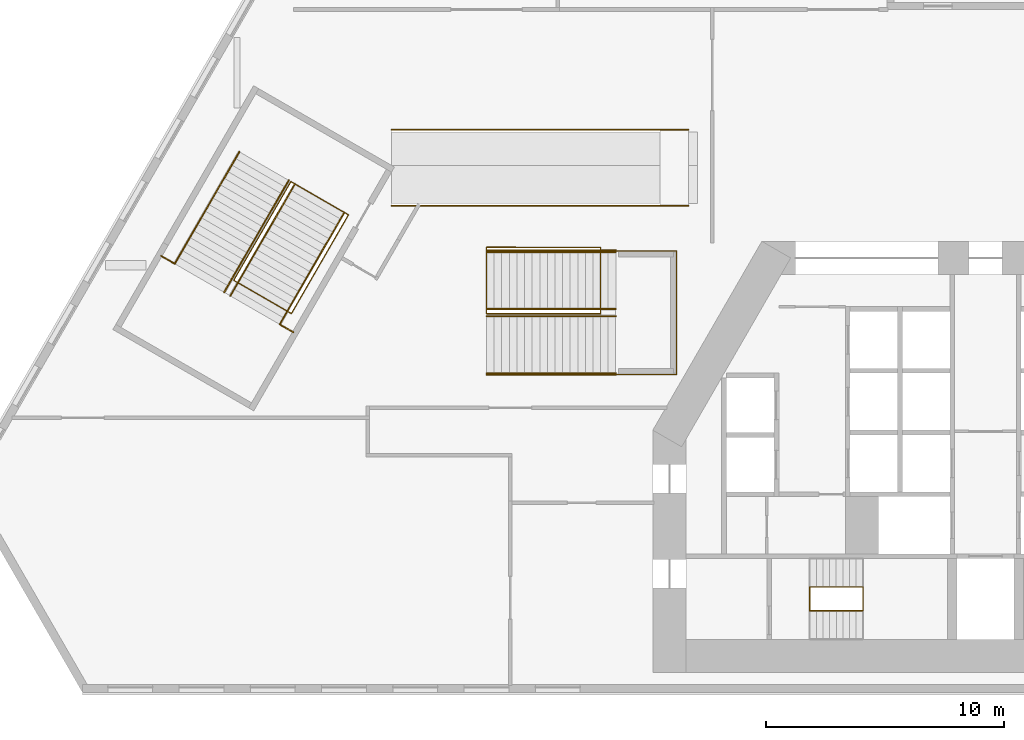
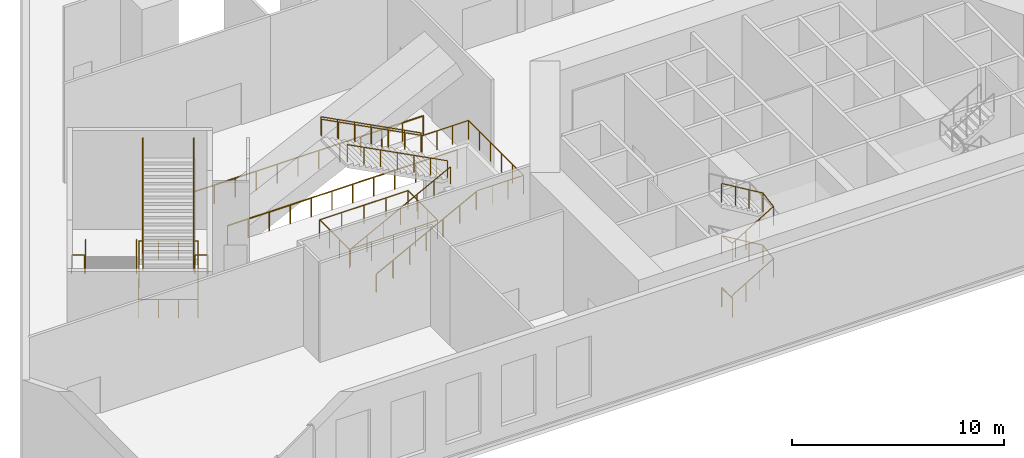
# One storey, part 10 of 16: 19 railings.
"""IFC4 building model written with IfcOpenShell, lengths in metres."""

from ifc_helpers import new_model, si_unit, direction, frame, origin, origin_2d, place, context, subcontext, project, spatial, circle, extrude, material, type_object, element, save


model = new_model("IFC4")

# Units and contexts
model_context = context("Model", 3, precision=1e-05, world=origin(), true_north=direction((0.0, 1.0)))
body_context = subcontext(model_context, "Body", "Model", "MODEL_VIEW")
ifc_project = project(units=[si_unit("LENGTHUNIT", "METRE"), si_unit("AREAUNIT", "SQUARE_METRE"), si_unit("VOLUMEUNIT", "CUBIC_METRE"), si_unit("PLANEANGLEUNIT", "RADIAN"), si_unit("MASSUNIT", "GRAM", prefix="KILO")], contexts=[model_context])

# Site, building, storey
site_placement = place(None, origin())
site = spatial("IfcSite", under=ifc_project, at=site_placement, CompositionType="ELEMENT")
building_placement = place(site_placement, origin())
building = spatial("IfcBuilding", under=site, at=building_placement, Name="Fogline Exchange Tower", CompositionType="ELEMENT")
storey_placement = place(building_placement, frame((0.0, 0.0, 14.0)))
storey = spatial("IfcBuildingStorey", under=building, at=storey_placement, Name="L02", CompositionType="ELEMENT", Elevation=14.0)

# Railings
ifc_material = material(Name="Steel Q235B", Category="steel")
railing_type_1 = type_object("IfcRailingType", Name="PG1", PredefinedType="GUARDRAIL", material=ifc_material)
railing_1_placement = place(storey_placement, frame((-29.2392578125, 21.515380859375, 0.0)))
element("IfcRailing", 1, at=railing_1_placement, inside=storey, type_object=railing_type_1, Name="Stair well guard ST4", PredefinedType="GUARDRAIL", context=body_context, shape_type="SweptSolid", body=[
    extrude(circle(Radius=0.02392578125, at=origin_2d()), frame((0.0, 0.0, 1.076171875), z_axis=(0.866034573852, -0.49998411664, 0.0), x_axis=(0.49998411664, 0.866034573852, 0.0)), (0.0, 0.0, 1.0), 2.7998046875),
    extrude(circle(Radius=0.02392578125, at=origin_2d()), frame((2.4248046875, -1.39990234375, 1.076171875), z_axis=(-0.499980858223, -0.866036455013, 0.0), x_axis=(0.866036455013, -0.499980858223, 0.0)), (0.0, 0.0, 1.0), 4.798095703125),
    extrude(circle(Radius=0.02392578125, at=origin_2d()), frame((0.02587890625, -5.55517578125, 1.076171875), z_axis=(-0.866034573852, 0.49998411664, 0.0), x_axis=(-0.49998411664, -0.866034573852, 0.0)), (0.0, 0.0, 1.0), 2.7998046875),
    extrude(circle(Radius=0.02392578125, at=origin_2d()), frame((-2.39892578125, -4.1552734375, 1.076171875), z_axis=(0.50087177907, 0.865521496516, 0.0), x_axis=(-0.865521496516, 0.50087177907, 0.0)), (0.0, 0.0, 1.0), 4.7978515625),
    extrude(circle(Radius=0.02099609375, at=origin_2d()), origin(), (0.0, 0.0, 1.0), 1.052001953125),
    extrude(circle(Radius=0.02099609375, at=origin_2d()), frame((0.808349609375, -0.466552734375, 0.0)), (0.0, 0.0, 1.0), 1.052001953125),
    extrude(circle(Radius=0.02099609375, at=origin_2d()), frame((1.616455078125, -0.933349609375, 0.0)), (0.0, 0.0, 1.0), 1.052001953125),
    extrude(circle(Radius=0.02099609375, at=origin_2d()), frame((2.4248046875, -1.39990234375, 0.0)), (0.0, 0.0, 1.0), 1.052001953125),
    extrude(circle(Radius=0.02099609375, at=origin_2d()), frame((1.8251953125, -2.438720703125, 0.0)), (0.0, 0.0, 1.0), 1.052001953125),
    extrude(circle(Radius=0.02099609375, at=origin_2d()), frame((1.225341796875, -3.4775390625, 0.0)), (0.0, 0.0, 1.0), 1.052001953125),
    extrude(circle(Radius=0.02099609375, at=origin_2d()), frame((0.62548828125, -4.516357421875, 0.0)), (0.0, 0.0, 1.0), 1.052001953125),
    extrude(circle(Radius=0.02099609375, at=origin_2d()), frame((0.02587890625, -5.55517578125, 0.0)), (0.0, 0.0, 1.0), 1.052001953125),
    extrude(circle(Radius=0.02099609375, at=origin_2d()), frame((-0.782470703125, -5.088623046875, 0.0)), (0.0, 0.0, 1.0), 1.052001953125),
    extrude(circle(Radius=0.02099609375, at=origin_2d()), frame((-1.590576171875, -4.621826171875, 0.0)), (0.0, 0.0, 1.0), 1.052001953125),
    extrude(circle(Radius=0.02099609375, at=origin_2d()), frame((-2.39892578125, -4.1552734375, 0.0)), (0.0, 0.0, 1.0), 1.052001953125),
    extrude(circle(Radius=0.02099609375, at=origin_2d()), frame((-1.798095703125, -3.1171875, 0.0)), (0.0, 0.0, 1.0), 1.052001953125),
    extrude(circle(Radius=0.02099609375, at=origin_2d()), frame((-1.197265625, -2.0791015625, 0.0)), (0.0, 0.0, 1.0), 1.052001953125),
    extrude(circle(Radius=0.02099609375, at=origin_2d()), frame((-0.5966796875, -1.040771484375, 0.0)), (0.0, 0.0, 1.0), 1.052001953125),
    extrude(circle(Radius=0.02099609375, at=origin_2d()), frame((0.004150390625, -0.002685546875, 0.0)), (0.0, 0.0, 1.0), 1.052001953125),
])
railing_2_placement = place(storey_placement, frame((-34.69921875, 18.38818359375, 3.0)))
element("IfcRailing", 2, at=railing_2_placement, inside=storey, type_object=railing_type_1, Name="Landing guard ST4", PredefinedType="GUARDRAIL", context=body_context, shape_type="SweptSolid", body=[
    extrude(circle(Radius=0.02392578125, at=origin_2d()), frame((0.0, 0.0, 1.076171875), z_axis=(0.86615915044, -0.499768272412, 0.0), x_axis=(0.499768272412, 0.86615915044, 0.0)), (0.0, 0.0, 1.0), 0.614990234375),
    extrude(circle(Radius=0.02099609375, at=origin_2d()), origin(), (0.0, 0.0, 1.0), 1.052001953125),
    extrude(circle(Radius=0.02099609375, at=origin_2d()), frame((0.53271484375, -0.307373046875, 0.0)), (0.0, 0.0, 1.0), 1.052001953125),
])
railing_3_placement = place(storey_placement, frame((-29.6630859375, 15.480712890625, 3.0)))
element("IfcRailing", 3, at=railing_3_placement, inside=storey, type_object=railing_type_1, Name="Landing guard ST4", PredefinedType="GUARDRAIL", context=body_context, shape_type="SweptSolid", body=[
    extrude(circle(Radius=0.02392578125, at=origin_2d()), frame((0.0, 0.0, 1.076171875), z_axis=(0.866059952115, -0.49994015576, 0.0), x_axis=(0.49994015576, 0.866059952115, 0.0)), (0.0, 0.0, 1.0), 0.61474609375),
    extrude(circle(Radius=0.02099609375, at=origin_2d()), origin(), (0.0, 0.0, 1.0), 1.052001953125),
    extrude(circle(Radius=0.02099609375, at=origin_2d()), frame((0.532470703125, -0.307373046875, 0.0)), (0.0, 0.0, 1.0), 1.052001953125),
])
railing_4_placement = place(storey_placement, frame((-16.199951171875, 18.75, 0.0)))
element("IfcRailing", 4, at=railing_4_placement, inside=storey, type_object=railing_type_1, Name="Stair well guard PS1", PredefinedType="GUARDRAIL", context=body_context, shape_type="SweptSolid", body=[
    extrude(circle(Radius=0.02392578125, at=origin_2d()), frame((0.0, 0.0, 1.076171875), z_axis=(0.0, -1.0, 0.0), x_axis=(1.0, 0.0, 0.0)), (0.0, 0.0, 1.0), 2.800048828125),
    extrude(circle(Radius=0.02392578125, at=origin_2d()), frame((0.0, -2.800048828125, 1.076171875), z_axis=(-1.0, 0.0, 0.0), x_axis=(0.0, -1.0, 0.0)), (0.0, 0.0, 1.0), 4.798095703125),
    extrude(circle(Radius=0.02392578125, at=origin_2d()), frame((-4.798095703125, -2.800048828125, 1.076171875), z_axis=(0.0, 1.0, 0.0), x_axis=(-1.0, 0.0, 0.0)), (0.0, 0.0, 1.0), 2.800048828125),
    extrude(circle(Radius=0.02392578125, at=origin_2d()), frame((-4.798095703125, 0.0, 1.076171875), z_axis=(0.999999482188, -0.001017655811, 0.0), x_axis=(0.001017655811, 0.999999482188, 0.0)), (0.0, 0.0, 1.0), 4.798095703125),
    extrude(circle(Radius=0.02099609375, at=origin_2d()), origin(), (0.0, 0.0, 1.0), 1.052001953125),
    extrude(circle(Radius=0.02099609375, at=origin_2d()), frame((0.0, -0.933349609375, 0.0)), (0.0, 0.0, 1.0), 1.052001953125),
    extrude(circle(Radius=0.02099609375, at=origin_2d()), frame((0.0, -1.86669921875, 0.0)), (0.0, 0.0, 1.0), 1.052001953125),
    extrude(circle(Radius=0.02099609375, at=origin_2d()), frame((0.0, -2.800048828125, 0.0)), (0.0, 0.0, 1.0), 1.052001953125),
    extrude(circle(Radius=0.02099609375, at=origin_2d()), frame((-1.199462890625, -2.800048828125, 0.0)), (0.0, 0.0, 1.0), 1.052001953125),
    extrude(circle(Radius=0.02099609375, at=origin_2d()), frame((-2.39892578125, -2.800048828125, 0.0)), (0.0, 0.0, 1.0), 1.052001953125),
    extrude(circle(Radius=0.02099609375, at=origin_2d()), frame((-3.5986328125, -2.800048828125, 0.0)), (0.0, 0.0, 1.0), 1.052001953125),
    extrude(circle(Radius=0.02099609375, at=origin_2d()), frame((-4.798095703125, -2.800048828125, 0.0)), (0.0, 0.0, 1.0), 1.052001953125),
    extrude(circle(Radius=0.02099609375, at=origin_2d()), frame((-4.798095703125, -1.86669921875, 0.0)), (0.0, 0.0, 1.0), 1.052001953125),
    extrude(circle(Radius=0.02099609375, at=origin_2d()), frame((-4.798095703125, -0.933349609375, 0.0)), (0.0, 0.0, 1.0), 1.052001953125),
    extrude(circle(Radius=0.02099609375, at=origin_2d()), frame((-4.798095703125, 0.0, 0.0)), (0.0, 0.0, 1.0), 1.052001953125),
    extrude(circle(Radius=0.02099609375, at=origin_2d()), frame((-3.5986328125, -0.001220703125, 0.0)), (0.0, 0.0, 1.0), 1.052001953125),
    extrude(circle(Radius=0.02099609375, at=origin_2d()), frame((-2.39892578125, -0.00244140625, 0.0)), (0.0, 0.0, 1.0), 1.052001953125),
    extrude(circle(Radius=0.02099609375, at=origin_2d()), frame((-1.199462890625, -0.003662109375, 0.0)), (0.0, 0.0, 1.0), 1.052001953125),
    extrude(circle(Radius=0.02099609375, at=origin_2d()), frame((0.0, -0.0048828125, 0.0)), (0.0, 0.0, 1.0), 1.052001953125),
])
railing_5_placement = place(storey_placement, frame((-21.0, 13.3798828125, 0.166748046875)))
element("IfcRailing", 5, at=railing_5_placement, inside=storey, type_object=railing_type_1, Name="Guard PS1", PredefinedType="GUARDRAIL", context=body_context, shape_type="SweptSolid", body=[
    extrude(circle(Radius=0.02392578125, at=origin_2d()), frame((0.0, 0.0, 1.076171875), z_axis=(0.886917481566, 0.0, 0.461927895771), x_axis=(0.0, 1.0, 0.0)), (0.0, 0.0, 1.0), 6.133544921875),
    extrude(circle(Radius=0.02099609375, at=origin_2d()), origin(), (0.0, 0.0, 1.0), 1.052001953125),
    extrude(circle(Radius=0.02099609375, at=origin_2d()), frame((0.90673828125, 0.0, 0.47216796875)), (0.0, 0.0, 1.0), 1.052001953125),
    extrude(circle(Radius=0.02099609375, at=origin_2d()), frame((1.813232421875, 0.0, 0.9443359375)), (0.0, 0.0, 1.0), 1.052001953125),
    extrude(circle(Radius=0.02099609375, at=origin_2d()), frame((2.719970703125, 0.0, 1.41650390625)), (0.0, 0.0, 1.0), 1.052001953125),
    extrude(circle(Radius=0.02099609375, at=origin_2d()), frame((3.626708984375, 0.0, 1.888916015625)), (0.0, 0.0, 1.0), 1.052001953125),
    extrude(circle(Radius=0.02099609375, at=origin_2d()), frame((4.533203125, 0.0, 2.361083984375)), (0.0, 0.0, 1.0), 1.052001953125),
    extrude(circle(Radius=0.02099609375, at=origin_2d()), frame((5.43994140625, 0.0, 2.833251953125)), (0.0, 0.0, 1.0), 1.052001953125),
])
railing_6_placement = place(storey_placement, frame((-15.56005859375, 18.6201171875, 3.166748046875)))
element("IfcRailing", 6, at=railing_6_placement, inside=storey, type_object=railing_type_1, Name="Guard PS1", PredefinedType="GUARDRAIL", context=body_context, shape_type="SweptSolid", body=[
    extrude(circle(Radius=0.02392578125, at=origin_2d()), frame((0.0, 0.0, 1.076171875), z_axis=(-0.886917481566, 0.0, 0.461927895771), x_axis=(0.0, -1.0, 0.0)), (0.0, 0.0, 1.0), 6.133544921875),
    extrude(circle(Radius=0.02099609375, at=origin_2d()), origin(), (0.0, 0.0, 1.0), 1.052001953125),
    extrude(circle(Radius=0.02099609375, at=origin_2d()), frame((-0.90673828125, 0.0, 0.47216796875)), (0.0, 0.0, 1.0), 1.052001953125),
    extrude(circle(Radius=0.02099609375, at=origin_2d()), frame((-1.813232421875, 0.0, 0.9443359375)), (0.0, 0.0, 1.0), 1.052001953125),
    extrude(circle(Radius=0.02099609375, at=origin_2d()), frame((-2.719970703125, 0.0, 1.41650390625)), (0.0, 0.0, 1.0), 1.052001953125),
    extrude(circle(Radius=0.02099609375, at=origin_2d()), frame((-3.626708984375, 0.0, 1.888916015625)), (0.0, 0.0, 1.0), 1.052001953125),
    extrude(circle(Radius=0.02099609375, at=origin_2d()), frame((-4.533203125, 0.0, 2.361083984375)), (0.0, 0.0, 1.0), 1.052001953125),
    extrude(circle(Radius=0.02099609375, at=origin_2d()), frame((-5.43994140625, 0.0, 2.833251953125)), (0.0, 0.0, 1.0), 1.052001953125),
])
railing_7_placement = place(storey_placement, frame((-15.56005859375, 13.39990234375, 3.0)))
element("IfcRailing", 7, at=railing_7_placement, inside=storey, type_object=railing_type_1, Name="Landing guard PS1", PredefinedType="GUARDRAIL", context=body_context, shape_type="SweptSolid", body=[
    extrude(circle(Radius=0.02392578125, at=origin_2d()), frame((0.0, 0.0, 1.076171875), z_axis=(1.0, 0.0, 0.0), x_axis=(0.0, 1.0, 0.0)), (0.0, 0.0, 1.0), 2.56005859375),
    extrude(circle(Radius=0.02392578125, at=origin_2d()), frame((2.56005859375, 0.0, 1.076171875), z_axis=(0.0, 1.0, 0.0), x_axis=(-1.0, 0.0, 0.0)), (0.0, 0.0, 1.0), 5.2001953125),
    extrude(circle(Radius=0.02392578125, at=origin_2d()), frame((2.56005859375, 5.2001953125, 1.076171875), z_axis=(-1.0, 0.0, 0.0), x_axis=(0.0, -1.0, 0.0)), (0.0, 0.0, 1.0), 2.56005859375),
    extrude(circle(Radius=0.02099609375, at=origin_2d()), origin(), (0.0, 0.0, 1.0), 1.052001953125),
    extrude(circle(Radius=0.02099609375, at=origin_2d()), frame((0.853271484375, 0.0, 0.0)), (0.0, 0.0, 1.0), 1.052001953125),
    extrude(circle(Radius=0.02099609375, at=origin_2d()), frame((1.706787109375, 0.0, 0.0)), (0.0, 0.0, 1.0), 1.052001953125),
    extrude(circle(Radius=0.02099609375, at=origin_2d()), frame((2.56005859375, 0.0, 0.0)), (0.0, 0.0, 1.0), 1.052001953125),
    extrude(circle(Radius=0.02099609375, at=origin_2d()), frame((2.56005859375, 1.0400390625, 0.0)), (0.0, 0.0, 1.0), 1.052001953125),
    extrude(circle(Radius=0.02099609375, at=origin_2d()), frame((2.56005859375, 2.080078125, 0.0)), (0.0, 0.0, 1.0), 1.052001953125),
    extrude(circle(Radius=0.02099609375, at=origin_2d()), frame((2.56005859375, 3.1201171875, 0.0)), (0.0, 0.0, 1.0), 1.052001953125),
    extrude(circle(Radius=0.02099609375, at=origin_2d()), frame((2.56005859375, 4.16015625, 0.0)), (0.0, 0.0, 1.0), 1.052001953125),
    extrude(circle(Radius=0.02099609375, at=origin_2d()), frame((2.56005859375, 5.2001953125, 0.0)), (0.0, 0.0, 1.0), 1.052001953125),
    extrude(circle(Radius=0.02099609375, at=origin_2d()), frame((1.706787109375, 5.2001953125, 0.0)), (0.0, 0.0, 1.0), 1.052001953125),
    extrude(circle(Radius=0.02099609375, at=origin_2d()), frame((0.853271484375, 5.2001953125, 0.0)), (0.0, 0.0, 1.0), 1.052001953125),
    extrude(circle(Radius=0.02099609375, at=origin_2d()), frame((0.0, 5.2001953125, 0.0)), (0.0, 0.0, 1.0), 1.052001953125),
])
for number, where, name in (
    (8, (-25.0, 20.5, 0.0), "Guard"),
    (9, (-25.0, 23.699951171875, 0.0), "Guard"),
):
    element("IfcRailing", number, at=place(storey_placement, frame(where)), inside=storey, type_object=railing_type_1, Name=name, PredefinedType="GUARDRAIL", context=body_context, shape_type="SweptSolid", body=[
        extrude(circle(Radius=0.02392578125, at=origin_2d()), frame((0.0, 0.0, 1.076171875), z_axis=(1.0, 0.0, 0.0), x_axis=(0.0, 1.0, 0.0)), (0.0, 0.0, 1.0), 12.5),
        extrude(circle(Radius=0.02099609375, at=origin_2d()), origin(), (0.0, 0.0, 1.0), 1.052001953125),
        extrude(circle(Radius=0.02099609375, at=origin_2d()), frame((1.136474609375, 0.0, 0.0)), (0.0, 0.0, 1.0), 1.052001953125),
        extrude(circle(Radius=0.02099609375, at=origin_2d()), frame((2.272705078125, 0.0, 0.0)), (0.0, 0.0, 1.0), 1.052001953125),
        extrude(circle(Radius=0.02099609375, at=origin_2d()), frame((3.4091796875, 0.0, 0.0)), (0.0, 0.0, 1.0), 1.052001953125),
        extrude(circle(Radius=0.02099609375, at=origin_2d()), frame((4.54541015625, 0.0, 0.0)), (0.0, 0.0, 1.0), 1.052001953125),
        extrude(circle(Radius=0.02099609375, at=origin_2d()), frame((5.681884765625, 0.0, 0.0)), (0.0, 0.0, 1.0), 1.052001953125),
        extrude(circle(Radius=0.02099609375, at=origin_2d()), frame((6.818115234375, 0.0, 0.0)), (0.0, 0.0, 1.0), 1.052001953125),
        extrude(circle(Radius=0.02099609375, at=origin_2d()), frame((7.95458984375, 0.0, 0.0)), (0.0, 0.0, 1.0), 1.052001953125),
        extrude(circle(Radius=0.02099609375, at=origin_2d()), frame((9.0908203125, 0.0, 0.0)), (0.0, 0.0, 1.0), 1.052001953125),
        extrude(circle(Radius=0.02099609375, at=origin_2d()), frame((10.227294921875, 0.0, 0.0)), (0.0, 0.0, 1.0), 1.052001953125),
        extrude(circle(Radius=0.02099609375, at=origin_2d()), frame((11.363525390625, 0.0, 0.0)), (0.0, 0.0, 1.0), 1.052001953125),
        extrude(circle(Radius=0.02099609375, at=origin_2d()), frame((12.5, 0.0, 0.0)), (0.0, 0.0, 1.0), 1.052001953125),
    ])
railing_type_2 = type_object("IfcRailingType", Name="PH1", PredefinedType="HANDRAIL", material=ifc_material)
railing_8_placement = place(storey_placement, frame((-31.4033203125, 22.76708984375, 0.166748046875)))
element("IfcRailing", 10, at=railing_8_placement, inside=storey, type_object=railing_type_2, Name="Handrail ST4", PredefinedType="HANDRAIL", context=body_context, shape_type="SweptSolid", body=[
    extrude(circle(Radius=0.02392578125, at=origin_2d()), frame((0.0, 0.0, 0.97607421875), z_axis=(-0.443442173932, -0.768113012524, 0.461910638944), x_axis=(0.866039112897, -0.499976254368, 0.0)), (0.0, 0.0, 1.0), 6.1337890625),
    extrude(circle(Radius=0.02099609375, at=origin_2d()), origin(), (0.0, 0.0, 1.0), 0.951904296875),
    extrude(circle(Radius=0.02099609375, at=origin_2d()), frame((-0.453369140625, -0.78515625, 0.47216796875)), (0.0, 0.0, 1.0), 0.951904296875),
    extrude(circle(Radius=0.02099609375, at=origin_2d()), frame((-0.90673828125, -1.570556640625, 0.9443359375)), (0.0, 0.0, 1.0), 0.951904296875),
    extrude(circle(Radius=0.02099609375, at=origin_2d()), frame((-1.35986328125, -2.355712890625, 1.41650390625)), (0.0, 0.0, 1.0), 0.951904296875),
    extrude(circle(Radius=0.02099609375, at=origin_2d()), frame((-1.813232421875, -3.140869140625, 1.888916015625)), (0.0, 0.0, 1.0), 0.951904296875),
    extrude(circle(Radius=0.02099609375, at=origin_2d()), frame((-2.2666015625, -3.92626953125, 2.361083984375)), (0.0, 0.0, 1.0), 0.951904296875),
    extrude(circle(Radius=0.02099609375, at=origin_2d()), frame((-2.719970703125, -4.71142578125, 2.833251953125)), (0.0, 0.0, 1.0), 0.951904296875),
])
railing_9_placement = place(storey_placement, frame((-29.324951171875, 21.56689453125, 0.166748046875)))
element("IfcRailing", 11, at=railing_9_placement, inside=storey, type_object=railing_type_2, Name="Handrail ST4", PredefinedType="HANDRAIL", context=body_context, shape_type="SweptSolid", body=[
    extrude(circle(Radius=0.02392578125, at=origin_2d()), frame((0.0, 0.0, 0.97607421875), z_axis=(-0.443455731556, -0.768096692562, 0.461924761216), x_axis=(0.866027894023, -0.499995686755, 0.0)), (0.0, 0.0, 1.0), 6.133544921875),
    extrude(circle(Radius=0.02099609375, at=origin_2d()), origin(), (0.0, 0.0, 1.0), 0.951904296875),
    extrude(circle(Radius=0.02099609375, at=origin_2d()), frame((-0.453369140625, -0.78515625, 0.47216796875)), (0.0, 0.0, 1.0), 0.951904296875),
    extrude(circle(Radius=0.02099609375, at=origin_2d()), frame((-0.90673828125, -1.5703125, 0.9443359375)), (0.0, 0.0, 1.0), 0.951904296875),
    extrude(circle(Radius=0.02099609375, at=origin_2d()), frame((-1.35986328125, -2.35546875, 1.41650390625)), (0.0, 0.0, 1.0), 0.951904296875),
    extrude(circle(Radius=0.02099609375, at=origin_2d()), frame((-1.813232421875, -3.140869140625, 1.888916015625)), (0.0, 0.0, 1.0), 0.951904296875),
    extrude(circle(Radius=0.02099609375, at=origin_2d()), frame((-2.2666015625, -3.926025390625, 2.361083984375)), (0.0, 0.0, 1.0), 0.951904296875),
    extrude(circle(Radius=0.02099609375, at=origin_2d()), frame((-2.719970703125, -4.711181640625, 2.833251953125)), (0.0, 0.0, 1.0), 0.951904296875),
])
railing_10_placement = place(storey_placement, frame((-29.70654296875, 15.505859375, 3.166748046875)))
element("IfcRailing", 12, at=railing_10_placement, inside=storey, type_object=railing_type_2, Name="Handrail ST4", PredefinedType="HANDRAIL", context=body_context, shape_type="SweptSolid", body=[
    extrude(circle(Radius=0.02392578125, at=origin_2d()), frame((0.0, 0.0, 0.97607421875), z_axis=(0.443455731556, 0.768096692562, 0.461924761216), x_axis=(-0.866027894023, 0.499995686755, 0.0)), (0.0, 0.0, 1.0), 6.133544921875),
    extrude(circle(Radius=0.02099609375, at=origin_2d()), origin(), (0.0, 0.0, 1.0), 0.951904296875),
    extrude(circle(Radius=0.02099609375, at=origin_2d()), frame((0.453369140625, 0.78515625, 0.47216796875)), (0.0, 0.0, 1.0), 0.951904296875),
    extrude(circle(Radius=0.02099609375, at=origin_2d()), frame((0.90673828125, 1.5703125, 0.9443359375)), (0.0, 0.0, 1.0), 0.951904296875),
    extrude(circle(Radius=0.02099609375, at=origin_2d()), frame((1.35986328125, 2.35546875, 1.41650390625)), (0.0, 0.0, 1.0), 0.951904296875),
    extrude(circle(Radius=0.02099609375, at=origin_2d()), frame((1.813232421875, 3.140869140625, 1.888916015625)), (0.0, 0.0, 1.0), 0.951904296875),
    extrude(circle(Radius=0.02099609375, at=origin_2d()), frame((2.2666015625, 3.926025390625, 2.361083984375)), (0.0, 0.0, 1.0), 0.951904296875),
    extrude(circle(Radius=0.02099609375, at=origin_2d()), frame((2.719970703125, 4.711181640625, 2.833251953125)), (0.0, 0.0, 1.0), 0.951904296875),
])
railing_11_placement = place(storey_placement, frame((-31.784912109375, 16.705810546875, 3.166748046875)))
element("IfcRailing", 13, at=railing_11_placement, inside=storey, type_object=railing_type_2, Name="Handrail ST4", PredefinedType="HANDRAIL", context=body_context, shape_type="SweptSolid", body=[
    extrude(circle(Radius=0.02392578125, at=origin_2d()), frame((0.0, 0.0, 0.97607421875), z_axis=(0.443423754331, 0.768110250208, 0.461932914632), x_axis=(-0.866047326822, 0.499962026263, 0.0)), (0.0, 0.0, 1.0), 6.133544921875),
    extrude(circle(Radius=0.02099609375, at=origin_2d()), origin(), (0.0, 0.0, 1.0), 0.951904296875),
    extrude(circle(Radius=0.02099609375, at=origin_2d()), frame((0.453369140625, 0.78515625, 0.47216796875)), (0.0, 0.0, 1.0), 0.951904296875),
    extrude(circle(Radius=0.02099609375, at=origin_2d()), frame((0.906494140625, 1.5703125, 0.9443359375)), (0.0, 0.0, 1.0), 0.951904296875),
    extrude(circle(Radius=0.02099609375, at=origin_2d()), frame((1.35986328125, 2.35546875, 1.41650390625)), (0.0, 0.0, 1.0), 0.951904296875),
    extrude(circle(Radius=0.02099609375, at=origin_2d()), frame((1.813232421875, 3.140869140625, 1.888916015625)), (0.0, 0.0, 1.0), 0.951904296875),
    extrude(circle(Radius=0.02099609375, at=origin_2d()), frame((2.266357421875, 3.926025390625, 2.361083984375)), (0.0, 0.0, 1.0), 0.951904296875),
    extrude(circle(Radius=0.02099609375, at=origin_2d()), frame((2.7197265625, 4.711181640625, 2.833251953125)), (0.0, 0.0, 1.0), 0.951904296875),
])
for number, where, name in (
    (14, (-21.0, 13.449951171875, 0.166748046875), "Handrail PS1"),
    (15, (-21.0, 15.85009765625, 0.166748046875), "Handrail PS1"),
):
    element("IfcRailing", number, at=place(storey_placement, frame(where)), inside=storey, type_object=railing_type_2, Name=name, PredefinedType="HANDRAIL", context=body_context, shape_type="SweptSolid", body=[
        extrude(circle(Radius=0.02392578125, at=origin_2d()), frame((0.0, 0.0, 0.97607421875), z_axis=(0.886917481566, 0.0, 0.461927895771), x_axis=(0.0, 1.0, 0.0)), (0.0, 0.0, 1.0), 6.133544921875),
        extrude(circle(Radius=0.02099609375, at=origin_2d()), origin(), (0.0, 0.0, 1.0), 0.951904296875),
        extrude(circle(Radius=0.02099609375, at=origin_2d()), frame((0.90673828125, 0.0, 0.47216796875)), (0.0, 0.0, 1.0), 0.951904296875),
        extrude(circle(Radius=0.02099609375, at=origin_2d()), frame((1.813232421875, 0.0, 0.9443359375)), (0.0, 0.0, 1.0), 0.951904296875),
        extrude(circle(Radius=0.02099609375, at=origin_2d()), frame((2.719970703125, 0.0, 1.41650390625)), (0.0, 0.0, 1.0), 0.951904296875),
        extrude(circle(Radius=0.02099609375, at=origin_2d()), frame((3.626708984375, 0.0, 1.888916015625)), (0.0, 0.0, 1.0), 0.951904296875),
        extrude(circle(Radius=0.02099609375, at=origin_2d()), frame((4.533203125, 0.0, 2.361083984375)), (0.0, 0.0, 1.0), 0.951904296875),
        extrude(circle(Radius=0.02099609375, at=origin_2d()), frame((5.43994140625, 0.0, 2.833251953125)), (0.0, 0.0, 1.0), 0.951904296875),
    ])
for number, where, name in (
    (16, (-15.56005859375, 18.550048828125, 3.166748046875), "Handrail PS1"),
    (17, (-15.56005859375, 16.14990234375, 3.166748046875), "Handrail PS1"),
):
    element("IfcRailing", number, at=place(storey_placement, frame(where)), inside=storey, type_object=railing_type_2, Name=name, PredefinedType="HANDRAIL", context=body_context, shape_type="SweptSolid", body=[
        extrude(circle(Radius=0.02392578125, at=origin_2d()), frame((0.0, 0.0, 0.97607421875), z_axis=(-0.886917481566, 0.0, 0.461927895771), x_axis=(0.0, -1.0, 0.0)), (0.0, 0.0, 1.0), 6.133544921875),
        extrude(circle(Radius=0.02099609375, at=origin_2d()), origin(), (0.0, 0.0, 1.0), 0.951904296875),
        extrude(circle(Radius=0.02099609375, at=origin_2d()), frame((-0.90673828125, 0.0, 0.47216796875)), (0.0, 0.0, 1.0), 0.951904296875),
        extrude(circle(Radius=0.02099609375, at=origin_2d()), frame((-1.813232421875, 0.0, 0.9443359375)), (0.0, 0.0, 1.0), 0.951904296875),
        extrude(circle(Radius=0.02099609375, at=origin_2d()), frame((-2.719970703125, 0.0, 1.41650390625)), (0.0, 0.0, 1.0), 0.951904296875),
        extrude(circle(Radius=0.02099609375, at=origin_2d()), frame((-3.626708984375, 0.0, 1.888916015625)), (0.0, 0.0, 1.0), 0.951904296875),
        extrude(circle(Radius=0.02099609375, at=origin_2d()), frame((-4.533203125, 0.0, 2.361083984375)), (0.0, 0.0, 1.0), 0.951904296875),
        extrude(circle(Radius=0.02099609375, at=origin_2d()), frame((-5.43994140625, 0.0, 2.833251953125)), (0.0, 0.0, 1.0), 0.951904296875),
    ])
railing_type_3 = type_object("IfcRailingType", Name="RL-GD", PredefinedType="GUARDRAIL", material=ifc_material)
railing_12_placement = place(storey_placement, frame((-7.389892578125, 3.449951171875, 0.0)))
element("IfcRailing", 18, at=railing_12_placement, inside=storey, type_object=railing_type_3, Name="Guard at well", PredefinedType="GUARDRAIL", context=body_context, shape_type="SweptSolid", body=[
    extrude(circle(Radius=0.02392578125, at=origin_2d()), frame((0.0, 0.0, 1.076171875), z_axis=(0.0, 1.0, 0.0), x_axis=(-1.0, 0.0, 0.0)), (0.0, 0.0, 1.0), 1.0),
    extrude(circle(Radius=0.02099609375, at=origin_2d()), origin(), (0.0, 0.0, 1.0), 1.052001953125),
    extrude(circle(Radius=0.02099609375, at=origin_2d()), frame((0.0, 1.0, 0.0)), (0.0, 0.0, 1.0), 1.052001953125),
])
railing_13_placement = place(storey_placement, frame((-7.39990234375, 3.449951171875, 0.166748046875)))
element("IfcRailing", 19, at=railing_13_placement, inside=storey, type_object=railing_type_3, Name="Guard ST1", PredefinedType="GUARDRAIL", context=body_context, shape_type="SweptSolid", body=[
    extrude(circle(Radius=0.02392578125, at=origin_2d()), frame((0.0, 0.0, 1.076171875), z_axis=(0.859305625298, 0.0, 0.511462454469), x_axis=(0.0, 1.0, 0.0)), (0.0, 0.0, 1.0), 2.606689453125),
    extrude(circle(Radius=0.02392578125, at=origin_2d()), frame((2.239990234375, 0.0, 2.4091796875), z_axis=(0.0, 0.986380903678, 0.164477089163), x_axis=(-1.0, 0.0, 0.0)), (0.0, 0.0, 1.0), 1.013916015625),
    extrude(circle(Radius=0.02392578125, at=origin_2d()), frame((2.239990234375, 1.0, 2.576171875), z_axis=(-0.859305625298, 0.0, 0.511462454469), x_axis=(0.0, -1.0, 0.0)), (0.0, 0.0, 1.0), 2.606689453125),
    extrude(circle(Radius=0.02392578125, at=origin_2d()), frame((0.0, 1.0, 3.9091796875), z_axis=(0.0, -0.986380903678, 0.164477089163), x_axis=(1.0, 0.0, 0.0)), (0.0, 0.0, 1.0), 1.013916015625),
    extrude(circle(Radius=0.02392578125, at=origin_2d()), frame((0.0, 0.0, 4.076171875), z_axis=(0.859305625298, 0.0, 0.511462454469), x_axis=(0.0, 1.0, 0.0)), (0.0, 0.0, 1.0), 2.606689453125),
    extrude(circle(Radius=0.02392578125, at=origin_2d()), frame((2.239990234375, 0.0, 5.4091796875), z_axis=(0.0, 0.986380903678, 0.164477089163), x_axis=(-1.0, 0.0, 0.0)), (0.0, 0.0, 1.0), 1.013916015625),
    extrude(circle(Radius=0.02392578125, at=origin_2d()), frame((2.239990234375, 1.0, 5.576171875), z_axis=(-0.859305625298, 0.0, 0.511462454469), x_axis=(0.0, -1.0, 0.0)), (0.0, 0.0, 1.0), 2.606689453125),
    extrude(circle(Radius=0.02099609375, at=origin_2d()), origin(), (0.0, 0.0, 1.0), 1.052001953125),
    extrude(circle(Radius=0.02099609375, at=origin_2d()), frame((0.74658203125, 0.0, 0.4443359375)), (0.0, 0.0, 1.0), 1.052001953125),
    extrude(circle(Radius=0.02099609375, at=origin_2d()), frame((1.493408203125, 0.0, 0.888916015625)), (0.0, 0.0, 1.0), 1.052001953125),
    extrude(circle(Radius=0.02099609375, at=origin_2d()), frame((2.239990234375, 0.0, 1.333251953125)), (0.0, 0.0, 1.0), 1.052001953125),
    extrude(circle(Radius=0.02099609375, at=origin_2d()), frame((2.239990234375, 1.0, 1.5)), (0.0, 0.0, 1.0), 1.052001953125),
    extrude(circle(Radius=0.02099609375, at=origin_2d()), frame((1.493408203125, 1.0, 1.9443359375)), (0.0, 0.0, 1.0), 1.052001953125),
    extrude(circle(Radius=0.02099609375, at=origin_2d()), frame((0.74658203125, 1.0, 2.388916015625)), (0.0, 0.0, 1.0), 1.052001953125),
    extrude(circle(Radius=0.02099609375, at=origin_2d()), frame((0.0, 1.0, 2.833251953125)), (0.0, 0.0, 1.0), 1.052001953125),
    extrude(circle(Radius=0.02099609375, at=origin_2d()), frame((0.0, 0.0, 3.0)), (0.0, 0.0, 1.0), 1.052001953125),
    extrude(circle(Radius=0.02099609375, at=origin_2d()), frame((0.74658203125, 0.0, 3.4443359375)), (0.0, 0.0, 1.0), 1.052001953125),
    extrude(circle(Radius=0.02099609375, at=origin_2d()), frame((1.493408203125, 0.0, 3.888916015625)), (0.0, 0.0, 1.0), 1.052001953125),
    extrude(circle(Radius=0.02099609375, at=origin_2d()), frame((2.239990234375, 0.0, 4.333251953125)), (0.0, 0.0, 1.0), 1.052001953125),
    extrude(circle(Radius=0.02099609375, at=origin_2d()), frame((2.239990234375, 1.0, 4.5)), (0.0, 0.0, 1.0), 1.052001953125),
    extrude(circle(Radius=0.02099609375, at=origin_2d()), frame((1.493408203125, 1.0, 4.9443359375)), (0.0, 0.0, 1.0), 1.052001953125),
    extrude(circle(Radius=0.02099609375, at=origin_2d()), frame((0.74658203125, 1.0, 5.388916015625)), (0.0, 0.0, 1.0), 1.052001953125),
    extrude(circle(Radius=0.02099609375, at=origin_2d()), frame((0.0, 1.0, 5.833251953125)), (0.0, 0.0, 1.0), 1.052001953125),
])

save(model, "model.ifc")
